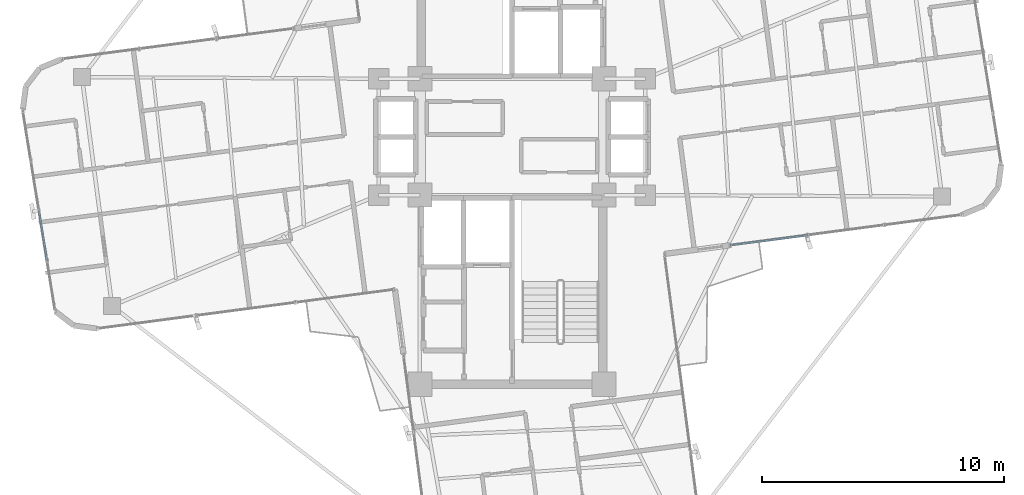
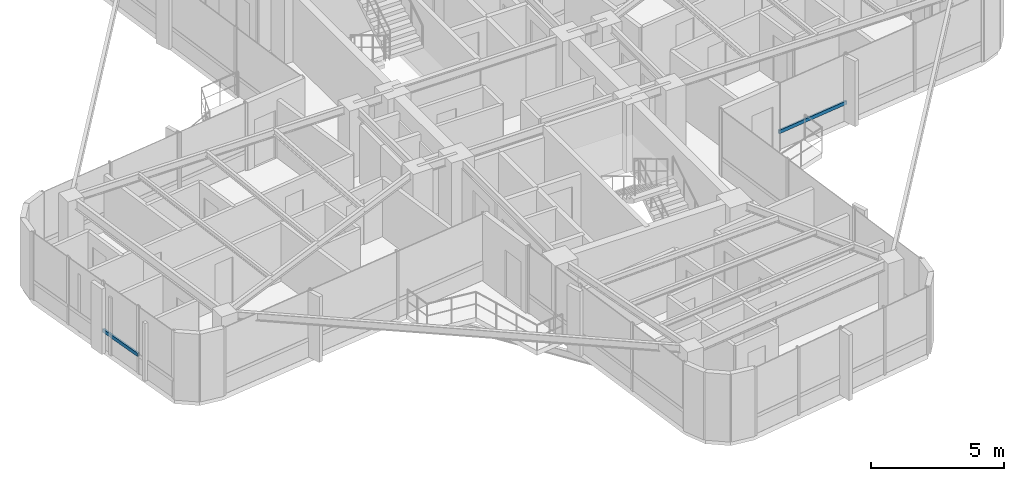
# One storey, part 6 of 23: 2 members, 2 elements without a shape of their own.
"""IFC4 building model written with IfcOpenShell, lengths in metres."""

from ifc_helpers import new_model, si_unit, direction, frame, origin, origin_2d, place, context, subcontext, project, spatial, hollow_rectangle, extrude, source, transform, mapped, material, material_profile, profile_set, type_object, element, aggregate, save


model = new_model("IFC4")

# Units and contexts
model_context = context("Model", 3, precision=1e-05, world=origin(), true_north=direction((0.0, 1.0)))
body_context = subcontext(model_context, "Body", "Model", "MODEL_VIEW")
ifc_project = project(units=[si_unit("LENGTHUNIT", "METRE"), si_unit("AREAUNIT", "SQUARE_METRE"), si_unit("VOLUMEUNIT", "CUBIC_METRE"), si_unit("PLANEANGLEUNIT", "RADIAN"), si_unit("MASSUNIT", "GRAM", prefix="KILO")], contexts=[model_context])

# Site, building, storey
site_placement = place(None, origin())
site = spatial("IfcSite", under=ifc_project, at=site_placement, CompositionType="ELEMENT")
building_placement = place(site_placement, origin())
building = spatial("IfcBuilding", under=site, at=building_placement, Name="Sahyath Konkavel Grand Hotel", CompositionType="ELEMENT")
storey_placement = place(building_placement, frame((0.0, 0.0, 251.199951171875)))
storey = spatial("IfcBuildingStorey", under=building, at=storey_placement, Name="L70", CompositionType="ELEMENT", Elevation=251.199951171875)

# Curtain wall, member
ifc_material_1 = material(Name="Anodised Bronze Aluminium & Low-E Glazing", Category="aluminium")
curtain_wall_type = type_object("IfcCurtainWallType", Name="CW-ZONE4", PredefinedType="NOTDEFINED", material=ifc_material_1)
curtain_wall_1_placement = place(storey_placement, origin())
curtain_wall_1 = element("IfcCurtainWall", 1, at=curtain_wall_1_placement, inside=storey, type_object=curtain_wall_type, Name="L70 Unitised Curtain Wall F0", PredefinedType="NOTDEFINED")
ifc_material_2 = material(Name="Anodised Bronze Aluminium", Category="aluminium")
ifc_material_profile = material_profile(ifc_material_2, hollow_rectangle(XDim=0.080078125, YDim=0.159912109375, WallThickness=0.006103515625, at=origin_2d()), Name="RHS 160x80x6")
ifc_profile_set = profile_set([ifc_material_profile], Name="Anodised Bronze Aluminium")
member_type = type_object("IfcMemberType", Name="CW-TRN-160", PredefinedType="USERDEFINED", material=ifc_profile_set)
shared_shape_1 = source(origin(), body_context, "Body", "SweptSolid", [
    extrude(hollow_rectangle(XDim=0.080078125, YDim=0.159912109375, WallThickness=0.006103515625, at=origin_2d()), origin(), (0.0, 0.0, 1.0), 3.209716796875),
])
member_1_placement = place(storey_placement, frame((9.008544921875, -4.470458984375, 0.85009765625), z_axis=(0.991445750226, 0.130519440536, 0.0), x_axis=(-0.130519440536, 0.991445750226, 0.0)))
member_1 = element("IfcMember", 2, at=member_1_placement, type_object=member_type, Name="L70 Curtain Wall Transom F0-0-spandrel", ObjectType="TRANSOM", PredefinedType="USERDEFINED", context=body_context, shape_type="MappedRepresentation", body=[
    mapped(shared_shape_1, transform((0.0, 0.0, 0.0), scale=1.0)),
])
aggregate(curtain_wall_1, [member_1])

curtain_wall_2_placement = place(storey_placement, origin())
curtain_wall_2 = element("IfcCurtainWall", 3, at=curtain_wall_2_placement, inside=storey, type_object=curtain_wall_type, Name="L70 Unitised Curtain Wall F20", PredefinedType="NOTDEFINED")
shared_shape_2 = source(origin(), body_context, "Body", "SweptSolid", [
    extrude(hollow_rectangle(XDim=0.080078125, YDim=0.159912109375, WallThickness=0.006103515625, at=origin_2d()), origin(), (0.0, 0.0, 1.0), 2.09130859375),
])
member_2_placement = place(storey_placement, frame((-19.513916015625, -3.035400390625, 0.85009765625), z_axis=(0.15958846084, -0.987183631938, 0.0), x_axis=(0.987183631938, 0.15958846084, 0.0)))
member_2 = element("IfcMember", 4, at=member_2_placement, type_object=member_type, Name="L70 Curtain Wall Transom F20-2-spandrel", ObjectType="TRANSOM", PredefinedType="USERDEFINED", context=body_context, shape_type="MappedRepresentation", body=[
    mapped(shared_shape_2, transform((0.0, 0.0, 0.0), scale=1.0)),
])
aggregate(curtain_wall_2, [member_2])

save(model, "model.ifc")
